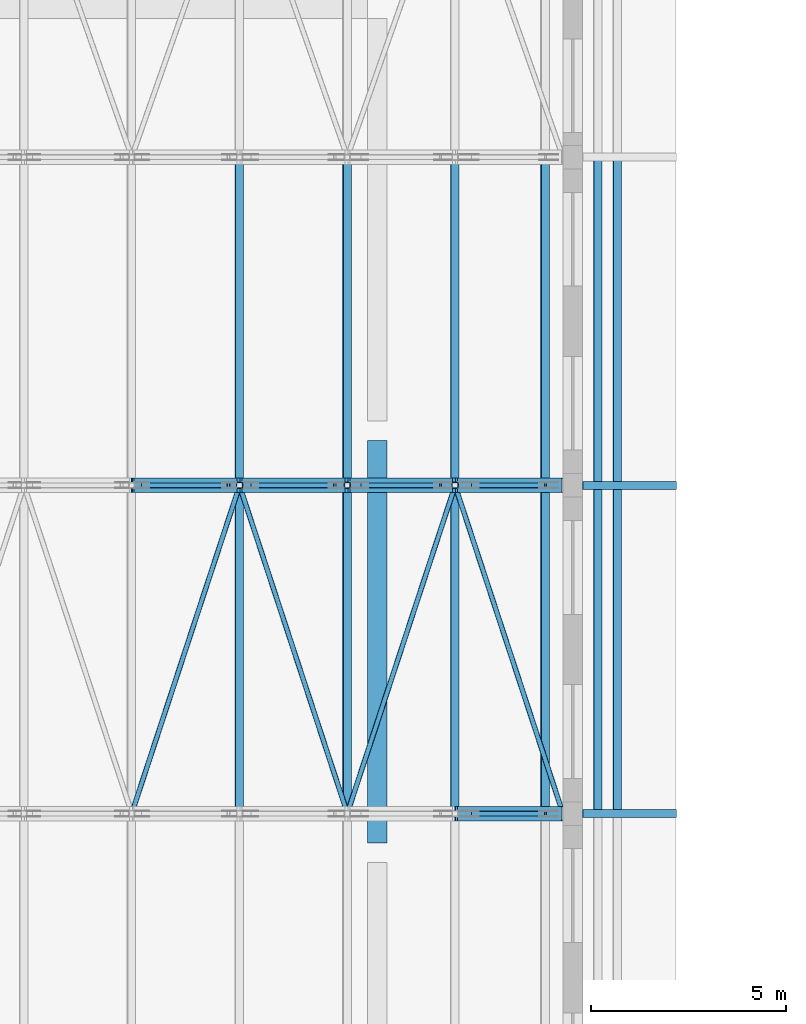
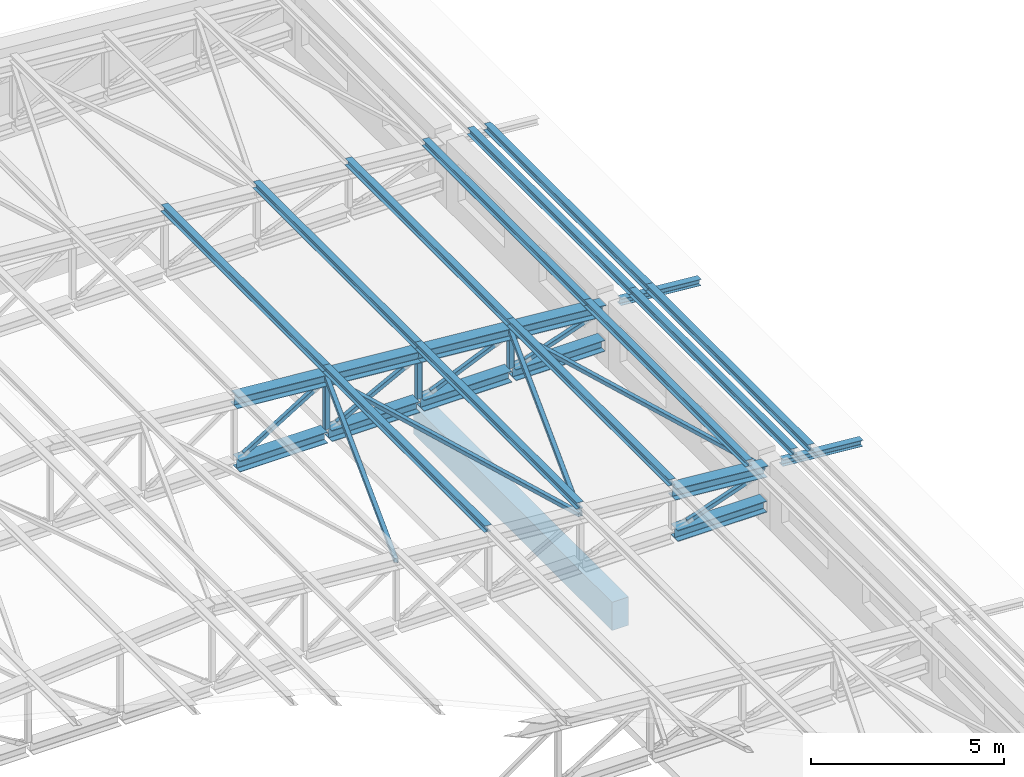
# One storey, part 15 of 60: 36 members, 1 beam.
"""IFC4 building model written with IfcOpenShell, lengths in metres."""

import ifcopenshell
import ifcopenshell.guid

model = None  # the IFC model being written
_history = None  # IfcOwnerHistory: only IFC2X3 demands one
_inside = {}  # id of a spatial element -> (the spatial element, [elements in it])
_under = {}  # id of a project, library or spatial element -> (it, [spatial elements below it])
_declared = {}  # id of a project -> (the project, [libraries it declares])
_typed = {}  # id of a type object -> (the type object, [elements of that type])
_made_of = {}  # id of a material, layer set ... -> (it, [elements and type objects made of it])


def new_model(schema):
    """Start an empty IFC model of exactly this schema.

    Asked for "IFC4X3", IfcOpenShell would pick the latest addendum, in which some entities
    have other attributes; the version numbers below select the first issue.
    IFC2X3 requires an IfcOwnerHistory on every rooted entity: one is made here for all.
    """
    global model, _history
    if schema == "IFC4X3":
        model = ifcopenshell.file(schema_version=(4, 3, 0, 0))
    else:
        model = ifcopenshell.file(schema=schema)
    _inside.clear()
    _under.clear()
    _declared.clear()
    _typed.clear()
    _made_of.clear()
    _history = None
    if model.schema == "IFC2X3":
        org = make("IfcOrganization", Name="unknown")
        user = make(
            "IfcPersonAndOrganization",
            ThePerson=make("IfcPerson", FamilyName="unknown"),
            TheOrganization=org,
        )
        app = make(
            "IfcApplication",
            ApplicationDeveloper=org,
            Version="unknown",
            ApplicationFullName="unknown",
            ApplicationIdentifier="unknown",
        )
        _history = make(
            "IfcOwnerHistory",
            OwningUser=user,
            OwningApplication=app,
            ChangeAction="ADDED",
            CreationDate=0,
        )
    return model


def make(cls, **values):
    """One entity of the class cls with the attributes given. An attribute that is None is left unset."""
    return model.create_entity(
        cls, **{name: value for name, value in values.items() if value is not None}
    )


def rooted(cls, **values):
    """An entity with a GlobalId (a new one), such as an element, a storey or a relation."""
    return make(cls, GlobalId=ifcopenshell.guid.new(), OwnerHistory=_history, **values)


def si_unit(unit_type, name, prefix=None):
    """IfcSIUnit, for example si_unit("LENGTHUNIT", "METRE", prefix="MILLI")."""
    return make("IfcSIUnit", UnitType=unit_type, Prefix=prefix, Name=name)


def assignment(units):
    """IfcUnitAssignment: the units of a project."""
    return None if units is None else make("IfcUnitAssignment", Units=units)


def point(xyz):
    """IfcCartesianPoint."""
    return None if xyz is None else make("IfcCartesianPoint", Coordinates=xyz)


def direction(xyz):
    """IfcDirection."""
    return None if xyz is None else make("IfcDirection", DirectionRatios=xyz)


def frame(location, z_axis=None, x_axis=None):
    """IfcAxis2Placement3D, a coordinate frame: its origin and axes. An axis left out is left unset."""
    return make(
        "IfcAxis2Placement3D",
        Location=point(location),
        Axis=direction(z_axis),
        RefDirection=direction(x_axis),
    )


def frame_2d(location, x_axis=None):
    """IfcAxis2Placement2D, a coordinate frame in the plane: its origin and x axis."""
    return make(
        "IfcAxis2Placement2D", Location=point(location), RefDirection=direction(x_axis)
    )


def origin():
    """The frame at (0, 0, 0) with its axes left unset."""
    return frame((0.0, 0.0, 0.0))


def origin_2d():
    """The frame at (0, 0) in the plane with its x axis left unset."""
    return frame_2d((0.0, 0.0))


def place(relative_to, where):
    """IfcLocalPlacement: puts the frame where relative to a parent placement (None: the world)."""
    return make(
        "IfcLocalPlacement", PlacementRelTo=relative_to, RelativePlacement=where
    )


def context(
    kind, dimensions, precision=None, world=None, true_north=None, identifier=None
):
    """IfcGeometricRepresentationContext, for example the 3D "Model" context."""
    return make(
        "IfcGeometricRepresentationContext",
        ContextIdentifier=identifier,
        ContextType=kind,
        CoordinateSpaceDimension=dimensions,
        Precision=precision,
        WorldCoordinateSystem=world,
        TrueNorth=true_north,
    )


def subcontext(parent, identifier, kind, view, scale=None):
    """IfcGeometricRepresentationSubContext, for example "Body" below "Model"."""
    return make(
        "IfcGeometricRepresentationSubContext",
        ContextIdentifier=identifier,
        ContextType=kind,
        ParentContext=parent,
        TargetScale=scale,
        TargetView=view,
    )


def project(units=None, contexts=None):
    """IfcProject with its units and contexts."""
    return rooted(
        "IfcProject",
        Name="project",
        RepresentationContexts=contexts,
        UnitsInContext=assignment(units),
    )


def spatial(cls, under=None, at=None, **own):
    """A site, building, storey or space (cls), placed at a placement, below another one or the project."""
    s = rooted(cls, ObjectPlacement=at, **own)
    if under is not None:
        _under.setdefault(under.id(), (under, []))[1].append(s)
    return s


def profile(cls, at=None, kind="AREA", **sizes):
    """A parametric profile (cls). Its sizes go by their IFC names, for example OverallWidth=200.0."""
    return make(cls, ProfileType=kind, Position=at, **sizes)


def rectangle(**sizes):
    """IfcRectangleProfileDef."""
    return profile("IfcRectangleProfileDef", **sizes)


def hollow_rectangle(**sizes):
    """IfcRectangleHollowProfileDef."""
    return profile("IfcRectangleHollowProfileDef", **sizes)


def i_section(**sizes):
    """IfcIShapeProfileDef."""
    return profile("IfcIShapeProfileDef", **sizes)


def extrude(swept, where, along, depth):
    """IfcExtrudedAreaSolid: the profile swept, set in the frame where, extruded along a direction by depth."""
    return make(
        "IfcExtrudedAreaSolid",
        SweptArea=swept,
        Position=where,
        ExtrudedDirection=direction(along),
        Depth=depth,
    )


def shape(context_of_items, identifier, shape_type, items):
    """IfcShapeRepresentation: the items that make up one representation, for example the "Body"."""
    return make(
        "IfcShapeRepresentation",
        ContextOfItems=context_of_items,
        RepresentationIdentifier=identifier,
        RepresentationType=shape_type,
        Items=items,
    )


def material(Name=None, Category=None):
    """IfcMaterial."""
    return make("IfcMaterial", Name=Name, Category=Category)


def material_profile(
    of_material, cross_section, Name=None, Category=None, Priority=None
):
    """IfcMaterialProfile: a cross section and its material."""
    return make(
        "IfcMaterialProfile",
        Name=Name,
        Material=of_material,
        Profile=cross_section,
        Priority=Priority,
        Category=Category,
    )


def profile_set(profiles, Name=None, composite=None):
    """IfcMaterialProfileSet."""
    return make(
        "IfcMaterialProfileSet",
        Name=Name,
        MaterialProfiles=profiles,
        CompositeProfile=composite,
    )


def made_of(thing, what):
    """Note that an element or type object is made of a material, layer set ...; save() writes the relation."""
    if what is not None:
        _made_of.setdefault(what.id(), (what, []))[1].append(thing)
    return thing


def type_object(cls, material=None, **own):
    """A type object (cls), such as IfcWallType, which elements share."""
    return made_of(rooted(cls, **own), material)


def element(
    cls,
    number,
    at=None,
    inside=None,
    cuts=None,
    type_object=None,
    material=None,
    context=None,
    identifier="Body",
    shape_type=None,
    held_by="IfcProductDefinitionShape",
    body=None,
    shapes=None,
    **own,
):
    """One element of the class cls, such as IfcWall. Its Tag is "e" and its number.

    at: its placement. inside: the storey or other place that contains it. cuts: it is an
    opening in that element (IfcRelVoidsElement). A single representation is given by context,
    identifier, shape_type and body (its items); several are given by shapes. held_by: the class
    of the entity that holds the representations. save() writes the other relations.
    """
    e = rooted(cls, Tag="e%d" % number, ObjectPlacement=at, **own)
    if body is not None:
        shapes = [shape(context, identifier, shape_type, body)]
    if shapes is not None:
        e.Representation = make(held_by, Representations=shapes)
    if inside is not None:
        _inside.setdefault(inside.id(), (inside, []))[1].append(e)
    if cuts is not None:
        rooted(
            "IfcRelVoidsElement", RelatingBuildingElement=cuts, RelatedOpeningElement=e
        )
    if type_object is not None:
        _typed.setdefault(type_object.id(), (type_object, []))[1].append(e)
    return made_of(e, material)


def aggregate(whole, parts):
    """IfcRelAggregates: a whole, such as a stair, and the parts it consists of."""
    return rooted("IfcRelAggregates", RelatingObject=whole, RelatedObjects=parts)


def save(model, path):
    """Write the relations noted so far, then the file.

    IfcRelAggregates (storeys below a building ...), IfcRelContainedInSpatialStructure (elements
    in a storey), IfcRelDefinesByType, IfcRelAssociatesMaterial and IfcRelDeclares: one each for
    every whole, place, type object, material and project.
    """
    for whole, parts in _under.values():
        aggregate(whole, parts)
    for where, things in _inside.values():
        rooted(
            "IfcRelContainedInSpatialStructure",
            RelatedElements=things,
            RelatingStructure=where,
        )
    for kind, things in _typed.values():
        rooted("IfcRelDefinesByType", RelatedObjects=things, RelatingType=kind)
    for what, things in _made_of.values():
        rooted("IfcRelAssociatesMaterial", RelatedObjects=things, RelatingMaterial=what)
    for by, libraries in _declared.values():
        rooted("IfcRelDeclares", RelatingContext=by, RelatedDefinitions=libraries)
    model.write(path)


model = new_model("IFC4")

# Units and contexts
model_context = context("Model", 3, precision=1e-05, world=origin(), true_north=direction((0.0, 1.0)))
body_context = subcontext(model_context, "Body", "Model", "MODEL_VIEW")
ifc_project = project(units=[si_unit("LENGTHUNIT", "METRE"), si_unit("AREAUNIT", "SQUARE_METRE"), si_unit("VOLUMEUNIT", "CUBIC_METRE"), si_unit("PLANEANGLEUNIT", "RADIAN"), si_unit("MASSUNIT", "GRAM", prefix="KILO")], contexts=[model_context])

# Site, building, storey
site_placement = place(None, origin())
site = spatial("IfcSite", under=ifc_project, at=site_placement, CompositionType="ELEMENT")
building_placement = place(site_placement, origin())
building = spatial("IfcBuilding", under=site, at=building_placement, Name="Ljudholm Concert House", CompositionType="ELEMENT")
storey_placement = place(building_placement, frame((0.0, 0.0, 15.0)))
storey = spatial("IfcBuildingStorey", under=building, at=storey_placement, Name="L03", CompositionType="ELEMENT", Elevation=15.0)

# Beam
ifc_material_1 = material(Name="Concrete 6,500 psi", Category="concrete")
ifc_material_profile_1 = material_profile(ifc_material_1, rectangle(XDim=0.5, YDim=0.89990234375, at=origin_2d()), Name="RC BEAM 500x900")
ifc_profile_set_1 = profile_set([ifc_material_profile_1], Name="Concrete 6,500 psi")
beam_type = type_object("IfcBeamType", Name="RC BEAM 500x900", PredefinedType="BEAM", material=ifc_profile_set_1)
beam_placement = place(storey_placement, frame((41.0, 20.050048828125, -0.699951171875), z_axis=(0.0, 1.0, 0.0), x_axis=(-1.0, 0.0, 0.0)))
element("IfcBeam", 1, at=beam_placement, inside=storey, type_object=beam_type, Name="Ring beam", PredefinedType="BEAM", context=body_context, shape_type="SweptSolid", body=[
    extrude(rectangle(XDim=0.5, YDim=0.89990234375, at=origin_2d()), origin(), (0.0, 0.0, 1.0), 10.300048828125),
])

# Members
ifc_material_2 = material(Name="Steel ASTM A500 Gr. C", Category="steel")
ifc_material_profile_2 = material_profile(ifc_material_2, hollow_rectangle(XDim=0.126953125, YDim=0.126953125, WallThickness=0.00732421875, InnerFilletRadius=0.003662109375, OuterFilletRadius=0.010986328125, at=origin_2d()), Name="HSS5X5X5/16")
ifc_profile_set_2 = profile_set([ifc_material_profile_2], Name="Steel ASTM A500 Gr. C")
member_type_1 = type_object("IfcMemberType", Name="STEEL MEMBER HSS5X5X5/16 BRACE", PredefinedType="BRACE", material=ifc_profile_set_2)
member_1_placement = place(storey_placement, frame((43.435546875, 20.800048828125, 0.937744140625), z_axis=(0.945096021447, 0.0, 0.326792763453), x_axis=(0.0, 1.0, 0.0)))
element("IfcMember", 2, at=member_1_placement, inside=storey, type_object=member_type_1, Name="Roof truss T3 diagonal", PredefinedType="BRACE", context=body_context, shape_type="SweptSolid", body=[
    extrude(hollow_rectangle(XDim=0.126953125, YDim=0.126953125, WallThickness=0.00732421875, InnerFilletRadius=0.003662109375, OuterFilletRadius=0.010986328125, at=origin_2d()), origin(), (0.0, 0.0, 1.0), 1.97900390625),
])
member_2_placement = place(storey_placement, frame((35.001220703125, 29.199951171875, 0.931884765625), z_axis=(0.850774291755, 0.0, 0.525531259288), x_axis=(0.0, 1.0, 0.0)))
element("IfcMember", 3, at=member_2_placement, inside=storey, type_object=member_type_1, Name="Roof truss T4 diagonal", PredefinedType="BRACE", context=body_context, shape_type="SweptSolid", body=[
    extrude(hollow_rectangle(XDim=0.126953125, YDim=0.126953125, WallThickness=0.00732421875, InnerFilletRadius=0.003662109375, OuterFilletRadius=0.010986328125, at=origin_2d()), origin(), (0.0, 0.0, 1.0), 2.5732421875),
])
member_3_placement = place(storey_placement, frame((37.794189453125, 29.199951171875, 0.93408203125), z_axis=(0.884876217226, 0.0, 0.465826233898), x_axis=(0.0, 1.0, 0.0)))
element("IfcMember", 4, at=member_3_placement, inside=storey, type_object=member_type_1, Name="Roof truss T4 diagonal", PredefinedType="BRACE", context=body_context, shape_type="SweptSolid", body=[
    extrude(hollow_rectangle(XDim=0.126953125, YDim=0.126953125, WallThickness=0.00732421875, InnerFilletRadius=0.003662109375, OuterFilletRadius=0.010986328125, at=origin_2d()), origin(), (0.0, 0.0, 1.0), 2.395751953125),
])
member_4_placement = place(storey_placement, frame((40.60205078125, 29.199951171875, 0.93603515625), z_axis=(0.916751083983, 0.0, 0.399458946597), x_axis=(0.0, 1.0, 0.0)))
element("IfcMember", 5, at=member_4_placement, inside=storey, type_object=member_type_1, Name="Roof truss T4 diagonal", PredefinedType="BRACE", context=body_context, shape_type="SweptSolid", body=[
    extrude(hollow_rectangle(XDim=0.126953125, YDim=0.126953125, WallThickness=0.00732421875, InnerFilletRadius=0.003662109375, OuterFilletRadius=0.010986328125, at=origin_2d()), origin(), (0.0, 0.0, 1.0), 2.20458984375),
])
member_5_placement = place(storey_placement, frame((43.435546875, 29.199951171875, 0.937744140625), z_axis=(0.945096021447, 0.0, 0.326792763453), x_axis=(0.0, 1.0, 0.0)))
element("IfcMember", 6, at=member_5_placement, inside=storey, type_object=member_type_1, Name="Roof truss T4 diagonal", PredefinedType="BRACE", context=body_context, shape_type="SweptSolid", body=[
    extrude(hollow_rectangle(XDim=0.126953125, YDim=0.126953125, WallThickness=0.00732421875, InnerFilletRadius=0.003662109375, OuterFilletRadius=0.010986328125, at=origin_2d()), origin(), (0.0, 0.0, 1.0), 1.97900390625),
])
member_6_placement = place(storey_placement, frame((34.716552734375, 20.8056640625, 2.7333984375), z_axis=(0.312275932245, 0.949623951849, -0.026421434749), x_axis=(-0.949955588038, 0.312384988045, 0.0)))
element("IfcMember", 7, at=member_6_placement, inside=storey, type_object=member_type_1, Name="Roof bracing", PredefinedType="BRACE", context=body_context, shape_type="SweptSolid", body=[
    extrude(hollow_rectangle(XDim=0.126953125, YDim=0.126953125, WallThickness=0.00732421875, InnerFilletRadius=0.003662109375, OuterFilletRadius=0.010986328125, at=origin_2d()), origin(), (0.0, 0.0, 1.0), 8.833740234375),
])
for number, where, z_axis, x_axis, name in (
    (8, (37.47509765625, 29.1943359375, 2.5), (0.312250989542, -0.949632147342, -0.026421662772), (0.94996379212, 0.312360038515, 0.0), "Roof bracing"),
    (9, (40.2333984375, 20.8056640625, 2.2666015625), (0.31225121744, 0.949632840435, -0.026394044314), (-0.94996379212, 0.312360038515, 0.0), "Roof bracing"),
    (10, (42.99169921875, 29.1943359375, 2.033447265625), (0.312250989542, -0.949632147342, -0.026421662772), (0.94996379212, 0.312360038515, 0.0), "Roof bracing"),
):
    element("IfcMember", number, at=place(storey_placement, frame(where, z_axis=z_axis, x_axis=x_axis)), inside=storey, type_object=member_type_1, Name=name, PredefinedType="BRACE", context=body_context, shape_type="SweptSolid", body=[
        extrude(hollow_rectangle(XDim=0.126953125, YDim=0.126953125, WallThickness=0.00732421875, InnerFilletRadius=0.003662109375, OuterFilletRadius=0.010986328125, at=origin_2d()), origin(), (0.0, 0.0, 1.0), 8.83349609375),
    ])
ifc_material_3 = material(Name="Steel ASTM A500 Gr. C", Category="steel")
ifc_material_profile_3 = material_profile(ifc_material_3, hollow_rectangle(XDim=0.15234375, YDim=0.15234375, WallThickness=0.0087890625, InnerFilletRadius=0.00439453125, OuterFilletRadius=0.01318359375, at=origin_2d()), Name="HSS6X6X3/8")
ifc_profile_set_3 = profile_set([ifc_material_profile_3], Name="Steel ASTM A500 Gr. C")
member_type_2 = type_object("IfcMemberType", Name="STEEL MEMBER HSS6X6X3/8 POST", PredefinedType="POST", material=ifc_profile_set_3)
member_7_placement = place(storey_placement, frame((37.47509765625, 29.199951171875, 0.877685546875), z_axis=(0.0, 0.0, 1.0), x_axis=(1.0, 0.0, 0.0)))
element("IfcMember", 11, at=member_7_placement, inside=storey, type_object=member_type_2, Name="Roof truss T4 post", PredefinedType="POST", context=body_context, shape_type="SweptSolid", body=[
    extrude(hollow_rectangle(XDim=0.15234375, YDim=0.15234375, WallThickness=0.0087890625, InnerFilletRadius=0.00439453125, OuterFilletRadius=0.01318359375, at=origin_2d()), origin(), (0.0, 0.0, 1.0), 1.44384765625),
])
member_8_placement = place(storey_placement, frame((40.2333984375, 29.199951171875, 0.877685546875), z_axis=(0.0, 0.0, 1.0), x_axis=(1.0, 0.0, 0.0)))
element("IfcMember", 12, at=member_8_placement, inside=storey, type_object=member_type_2, Name="Roof truss T4 post", PredefinedType="POST", context=body_context, shape_type="SweptSolid", body=[
    extrude(hollow_rectangle(XDim=0.15234375, YDim=0.15234375, WallThickness=0.0087890625, InnerFilletRadius=0.00439453125, OuterFilletRadius=0.01318359375, at=origin_2d()), origin(), (0.0, 0.0, 1.0), 1.21044921875),
])
member_9_placement = place(storey_placement, frame((42.99169921875, 29.199951171875, 0.877685546875), z_axis=(0.0, 0.0, 1.0), x_axis=(1.0, 0.0, 0.0)))
element("IfcMember", 13, at=member_9_placement, inside=storey, type_object=member_type_2, Name="Roof truss T4 post", PredefinedType="POST", context=body_context, shape_type="SweptSolid", body=[
    extrude(hollow_rectangle(XDim=0.15234375, YDim=0.15234375, WallThickness=0.0087890625, InnerFilletRadius=0.00439453125, OuterFilletRadius=0.01318359375, at=origin_2d()), origin(), (0.0, 0.0, 1.0), 0.977294921875),
])
ifc_material_4 = material(Name="Steel ASTM A992", Category="steel")
ifc_material_profile_4 = material_profile(ifc_material_4, i_section(OverallWidth=0.368408203125, OverallDepth=0.355712890625, WebThickness=0.01123046875, FlangeThickness=0.01806640625, FilletRadius=0.01513671875, at=origin_2d()), Name="W14X90")
ifc_profile_set_4 = profile_set([ifc_material_profile_4], Name="Steel ASTM A992")
member_type_3 = type_object("IfcMemberType", Name="STEEL MEMBER W14X90 CHORD", PredefinedType="CHORD", material=ifc_profile_set_4)
member_10_placement = place(storey_placement, frame((42.99169921875, 20.800048828125, 2.033447265625), z_axis=(0.996439113695, 0.0, -0.084315435714), x_axis=(0.0, 1.0, 0.0)))
element("IfcMember", 14, at=member_10_placement, inside=storey, type_object=member_type_3, Name="Roof truss T3 top chord", PredefinedType="CHORD", context=body_context, shape_type="SweptSolid", body=[
    extrude(i_section(OverallWidth=0.368408203125, OverallDepth=0.355712890625, WebThickness=0.01123046875, FlangeThickness=0.01806640625, FilletRadius=0.01513671875, at=origin_2d()), origin(), (0.0, 0.0, 1.0), 2.76806640625),
])
member_11_placement = place(storey_placement, frame((43.0537109375, 20.800048828125, 0.699951171875), z_axis=(1.0, 0.0, 0.0), x_axis=(0.0, 1.0, 0.0)))
element("IfcMember", 15, at=member_11_placement, inside=storey, type_object=member_type_3, Name="Roof truss T3 bottom chord", PredefinedType="CHORD", context=body_context, shape_type="SweptSolid", body=[
    extrude(i_section(OverallWidth=0.368408203125, OverallDepth=0.355712890625, WebThickness=0.01123046875, FlangeThickness=0.01806640625, FilletRadius=0.01513671875, at=origin_2d()), origin(), (0.0, 0.0, 1.0), 2.666259765625),
])
member_12_placement = place(storey_placement, frame((34.716552734375, 29.199951171875, 2.7333984375), z_axis=(0.996439740606, 0.0, -0.084308026553), x_axis=(0.0, 1.0, 0.0)))
element("IfcMember", 16, at=member_12_placement, inside=storey, type_object=member_type_3, Name="Roof truss T4 top chord", PredefinedType="CHORD", context=body_context, shape_type="SweptSolid", body=[
    extrude(i_section(OverallWidth=0.368408203125, OverallDepth=0.355712890625, WebThickness=0.01123046875, FlangeThickness=0.01806640625, FilletRadius=0.01513671875, at=origin_2d()), origin(), (0.0, 0.0, 1.0), 2.768310546875),
])
member_13_placement = place(storey_placement, frame((34.778564453125, 29.199951171875, 0.699951171875), z_axis=(1.0, 0.0, 0.0), x_axis=(0.0, 1.0, 0.0)))
element("IfcMember", 17, at=member_13_placement, inside=storey, type_object=member_type_3, Name="Roof truss T4 bottom chord", PredefinedType="CHORD", context=body_context, shape_type="SweptSolid", body=[
    extrude(i_section(OverallWidth=0.368408203125, OverallDepth=0.355712890625, WebThickness=0.01123046875, FlangeThickness=0.01806640625, FilletRadius=0.01513671875, at=origin_2d()), origin(), (0.0, 0.0, 1.0), 2.634521484375),
])
member_14_placement = place(storey_placement, frame((37.47509765625, 29.199951171875, 2.5), z_axis=(0.996439113695, 0.0, -0.084315435714), x_axis=(0.0, 1.0, 0.0)))
element("IfcMember", 18, at=member_14_placement, inside=storey, type_object=member_type_3, Name="Roof truss T4 top chord", PredefinedType="CHORD", context=body_context, shape_type="SweptSolid", body=[
    extrude(i_section(OverallWidth=0.368408203125, OverallDepth=0.355712890625, WebThickness=0.01123046875, FlangeThickness=0.01806640625, FilletRadius=0.01513671875, at=origin_2d()), origin(), (0.0, 0.0, 1.0), 2.76806640625),
])
member_15_placement = place(storey_placement, frame((37.537109375, 29.199951171875, 0.699951171875), z_axis=(1.0, 0.0, 0.0), x_axis=(0.0, 1.0, 0.0)))
element("IfcMember", 19, at=member_15_placement, inside=storey, type_object=member_type_3, Name="Roof truss T4 bottom chord", PredefinedType="CHORD", context=body_context, shape_type="SweptSolid", body=[
    extrude(i_section(OverallWidth=0.368408203125, OverallDepth=0.355712890625, WebThickness=0.01123046875, FlangeThickness=0.01806640625, FilletRadius=0.01513671875, at=origin_2d()), origin(), (0.0, 0.0, 1.0), 2.63427734375),
])
member_16_placement = place(storey_placement, frame((40.2333984375, 29.199951171875, 2.2666015625), z_axis=(0.996446519711, 0.0, -0.084227865669), x_axis=(0.0, 1.0, 0.0)))
element("IfcMember", 20, at=member_16_placement, inside=storey, type_object=member_type_3, Name="Roof truss T4 top chord", PredefinedType="CHORD", context=body_context, shape_type="SweptSolid", body=[
    extrude(i_section(OverallWidth=0.368408203125, OverallDepth=0.355712890625, WebThickness=0.01123046875, FlangeThickness=0.01806640625, FilletRadius=0.01513671875, at=origin_2d()), origin(), (0.0, 0.0, 1.0), 2.76806640625),
])
member_17_placement = place(storey_placement, frame((40.29541015625, 29.199951171875, 0.699951171875), z_axis=(1.0, 0.0, 0.0), x_axis=(0.0, 1.0, 0.0)))
element("IfcMember", 21, at=member_17_placement, inside=storey, type_object=member_type_3, Name="Roof truss T4 bottom chord", PredefinedType="CHORD", context=body_context, shape_type="SweptSolid", body=[
    extrude(i_section(OverallWidth=0.368408203125, OverallDepth=0.355712890625, WebThickness=0.01123046875, FlangeThickness=0.01806640625, FilletRadius=0.01513671875, at=origin_2d()), origin(), (0.0, 0.0, 1.0), 2.63427734375),
])
member_18_placement = place(storey_placement, frame((42.99169921875, 29.199951171875, 2.033447265625), z_axis=(0.996439113695, 0.0, -0.084315435714), x_axis=(0.0, 1.0, 0.0)))
element("IfcMember", 22, at=member_18_placement, inside=storey, type_object=member_type_3, Name="Roof truss T4 top chord", PredefinedType="CHORD", context=body_context, shape_type="SweptSolid", body=[
    extrude(i_section(OverallWidth=0.368408203125, OverallDepth=0.355712890625, WebThickness=0.01123046875, FlangeThickness=0.01806640625, FilletRadius=0.01513671875, at=origin_2d()), origin(), (0.0, 0.0, 1.0), 2.76806640625),
])
member_19_placement = place(storey_placement, frame((43.0537109375, 29.199951171875, 0.699951171875), z_axis=(1.0, 0.0, 0.0), x_axis=(0.0, 1.0, 0.0)))
element("IfcMember", 23, at=member_19_placement, inside=storey, type_object=member_type_3, Name="Roof truss T4 bottom chord", PredefinedType="CHORD", context=body_context, shape_type="SweptSolid", body=[
    extrude(i_section(OverallWidth=0.368408203125, OverallDepth=0.355712890625, WebThickness=0.01123046875, FlangeThickness=0.01806640625, FilletRadius=0.01513671875, at=origin_2d()), origin(), (0.0, 0.0, 1.0), 2.666259765625),
])
ifc_material_5 = material(Name="Steel ASTM A992", Category="steel")
ifc_material_profile_5 = material_profile(ifc_material_5, i_section(OverallWidth=0.203125, OverallDepth=0.203125, WebThickness=0.00732421875, FlangeThickness=0.010986328125, FilletRadius=0.010009765625, at=origin_2d()), Name="W8X31")
ifc_profile_set_5 = profile_set([ifc_material_profile_5], Name="Steel ASTM A992")
member_type_4 = type_object("IfcMemberType", Name="STEEL MEMBER W8X31 PURLIN", PredefinedType="PURLIN", material=ifc_profile_set_5)
for number, where, z_axis, x_axis, name in (
    (24, (45.29150390625, 20.800048828125, 2.119140625), (0.0, 1.0, 0.0), (-0.996441172925, 0.0, 0.084291096202), "Purlin"),
    (25, (42.983154296875, 20.800048828125, 2.314453125), (0.0, 1.0, 0.0), (-0.996441172925, 0.0, 0.084291096202), "Purlin"),
    (26, (40.224853515625, 20.800048828125, 2.5478515625), (0.0, 1.0, 0.0), (-0.996441172925, 0.0, 0.084291096202), "Purlin"),
    (27, (37.466552734375, 20.800048828125, 2.781005859375), (0.0, 1.0, 0.0), (-0.996441172925, 0.0, 0.084291096202), "Purlin"),
):
    element("IfcMember", number, at=place(storey_placement, frame(where, z_axis=z_axis, x_axis=x_axis)), inside=storey, type_object=member_type_4, Name=name, PredefinedType="PURLIN", context=body_context, shape_type="SweptSolid", body=[
        extrude(i_section(OverallWidth=0.203125, OverallDepth=0.203125, WebThickness=0.00732421875, FlangeThickness=0.010986328125, FilletRadius=0.010009765625, at=origin_2d()), origin(), (0.0, 0.0, 1.0), 8.39990234375),
    ])
for number, where, z_axis, x_axis, name in (
    (28, (45.29150390625, 29.199951171875, 2.119140625), (0.0, 1.0, 0.0), (-0.996441172925, 0.0, 0.084291096202), "Purlin"),
    (29, (42.983154296875, 29.199951171875, 2.314453125), (0.0, 1.0, 0.0), (-0.996441172925, 0.0, 0.084291096202), "Purlin"),
    (30, (40.224853515625, 29.199951171875, 2.5478515625), (0.0, 1.0, 0.0), (-0.996441172925, 0.0, 0.084291096202), "Purlin"),
    (31, (37.466552734375, 29.199951171875, 2.781005859375), (0.0, 1.0, 0.0), (-0.996441172925, 0.0, 0.084291096202), "Purlin"),
):
    element("IfcMember", number, at=place(storey_placement, frame(where, z_axis=z_axis, x_axis=x_axis)), inside=storey, type_object=member_type_4, Name=name, PredefinedType="PURLIN", context=body_context, shape_type="SweptSolid", body=[
        extrude(i_section(OverallWidth=0.203125, OverallDepth=0.203125, WebThickness=0.00732421875, FlangeThickness=0.010986328125, FilletRadius=0.010009765625, at=origin_2d()), origin(), (0.0, 0.0, 1.0), 8.400146484375),
    ])
for number, where, z_axis, x_axis, name in (
    (32, (46.641357421875, 20.800048828125, 2.0048828125), (0.0, 1.0, 0.0), (-0.996441172925, 0.0, 0.084291096202), "Purlin"),
    (33, (47.141357421875, 20.800048828125, 1.962646484375), (0.0, 1.0, 0.0), (-0.996441172925, 0.0, 0.084291096202), "Purlin"),
):
    element("IfcMember", number, at=place(storey_placement, frame(where, z_axis=z_axis, x_axis=x_axis)), inside=storey, type_object=member_type_4, Name=name, PredefinedType="PURLIN", context=body_context, shape_type="SweptSolid", body=[
        extrude(i_section(OverallWidth=0.203125, OverallDepth=0.203125, WebThickness=0.00732421875, FlangeThickness=0.010986328125, FilletRadius=0.010009765625, at=origin_2d()), origin(), (0.0, 0.0, 1.0), 8.39990234375),
    ])
for number, where, z_axis, x_axis, name in (
    (34, (46.641357421875, 29.199951171875, 2.0048828125), (0.0, 1.0, 0.0), (-0.996441172925, 0.0, 0.084291096202), "Purlin"),
    (35, (47.141357421875, 29.199951171875, 1.962646484375), (0.0, 1.0, 0.0), (-0.996441172925, 0.0, 0.084291096202), "Purlin"),
):
    element("IfcMember", number, at=place(storey_placement, frame(where, z_axis=z_axis, x_axis=x_axis)), inside=storey, type_object=member_type_4, Name=name, PredefinedType="PURLIN", context=body_context, shape_type="SweptSolid", body=[
        extrude(i_section(OverallWidth=0.203125, OverallDepth=0.203125, WebThickness=0.00732421875, FlangeThickness=0.010986328125, FilletRadius=0.010009765625, at=origin_2d()), origin(), (0.0, 0.0, 1.0), 8.400146484375),
    ])
ifc_material_6 = material(Name="Steel ASTM A992", Category="steel")
ifc_material_profile_6 = material_profile(ifc_material_6, i_section(OverallWidth=0.203125, OverallDepth=0.203125, WebThickness=0.00732421875, FlangeThickness=0.010986328125, FilletRadius=0.010009765625, at=origin_2d()), Name="W8X31")
ifc_profile_set_6 = profile_set([ifc_material_profile_6], Name="Steel ASTM A992")
member_type_5 = type_object("IfcMemberType", Name="STEEL MEMBER W8X31 RAFTER", PredefinedType="RAFTER", material=ifc_profile_set_6)
for number, where, z_axis, x_axis, name in (
    (36, (46.25, 20.800048828125, 1.834228515625), (0.996437262136, 0.0, -0.084337314557), (0.0, 1.0, 0.0), "Eave rafter tail"),
    (37, (46.25, 29.199951171875, 1.834228515625), (0.996437262136, 0.0, -0.084337314557), (0.0, 1.0, 0.0), "Eave rafter tail"),
):
    element("IfcMember", number, at=place(storey_placement, frame(where, z_axis=z_axis, x_axis=x_axis)), inside=storey, type_object=member_type_5, Name=name, PredefinedType="RAFTER", context=body_context, shape_type="SweptSolid", body=[
        extrude(i_section(OverallWidth=0.203125, OverallDepth=0.203125, WebThickness=0.00732421875, FlangeThickness=0.010986328125, FilletRadius=0.010009765625, at=origin_2d()), origin(), (0.0, 0.0, 1.0), 2.408447265625),
    ])

save(model, "model.ifc")
